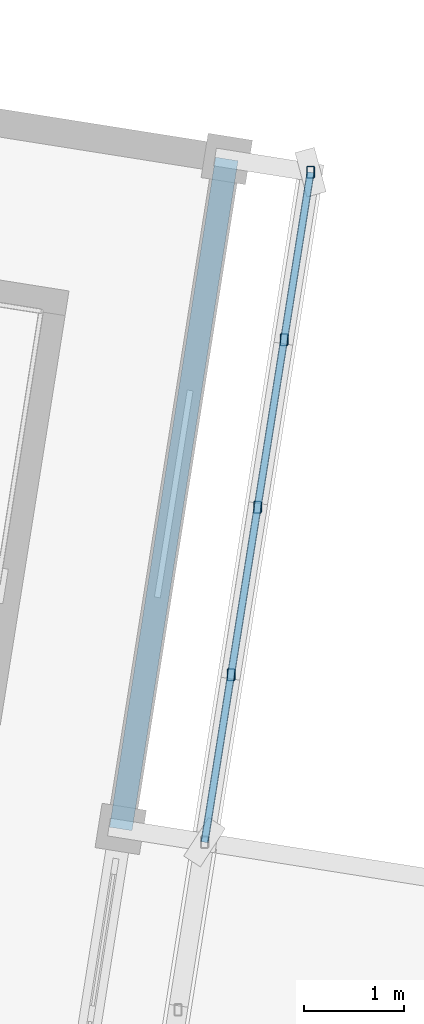
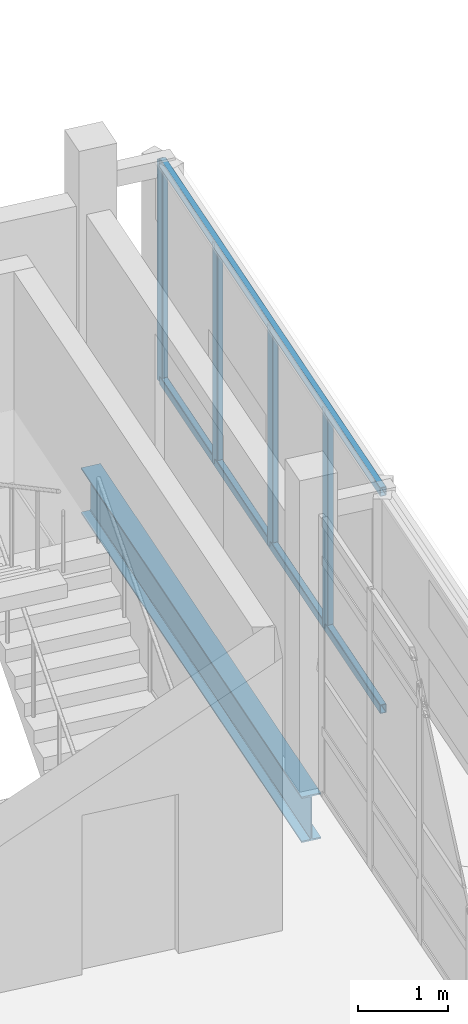
# One storey, part 85 of 137: 6 members, 1 beam.
"""IFC4 building model written with IfcOpenShell, lengths in metres."""

from ifc_helpers import new_model, si_unit, direction, frame, origin, origin_2d, place, context, subcontext, project, spatial, hollow_rectangle, i_section, extrude, material, material_profile, profile_set, type_object, element, save


model = new_model("IFC4")

# Units and contexts
model_context = context("Model", 3, precision=1e-05, world=origin(), true_north=direction((0.0, 1.0)))
body_context = subcontext(model_context, "Body", "Model", "MODEL_VIEW")
ifc_project = project(units=[si_unit("LENGTHUNIT", "METRE"), si_unit("AREAUNIT", "SQUARE_METRE"), si_unit("VOLUMEUNIT", "CUBIC_METRE"), si_unit("PLANEANGLEUNIT", "RADIAN"), si_unit("MASSUNIT", "GRAM", prefix="KILO")], contexts=[model_context])

# Site, building, storey
site_placement = place(None, origin())
site = spatial("IfcSite", under=ifc_project, at=site_placement, CompositionType="ELEMENT")
building_placement = place(site_placement, origin())
building = spatial("IfcBuilding", under=site, at=building_placement, Name="Cinderway Yard Community Centre", CompositionType="ELEMENT")
storey_placement = place(building_placement, frame((0.0, 0.0, 4.800048828125)))
storey = spatial("IfcBuildingStorey", under=building, at=storey_placement, Name="L01", CompositionType="ELEMENT", Elevation=4.800048828125)

# Members
ifc_material = material(Name="Steel S355", Category="steel")
ifc_material_profile_1 = material_profile(ifc_material, hollow_rectangle(XDim=0.080078125, YDim=0.1201171875, WallThickness=0.00634765625, InnerFilletRadius=0.00634765625, OuterFilletRadius=0.0126953125, at=origin_2d()), Name="Steel S355")
ifc_profile_set_1 = profile_set([ifc_material_profile_1], Name="Steel S355")
member_type = type_object("IfcMemberType", Name="ENV-MEM-SCREEN-RAIL-120", PredefinedType="STRINGER", material=ifc_profile_set_1)
for number, where, z_axis, x_axis, name in (
    (1, (152.72607421875, 60.0390625, 0.7099609375), (0.156335015047, 0.987704086794, 0.0), (-0.987704086794, 0.156335015047, 0.0), "Screen support rail 1033-BOT"),
    (2, (152.72607421875, 60.0390625, 3.639892578125), (0.156335015047, 0.987704086794, 0.0), (-0.987704086794, 0.156335015047, 0.0), "Screen support rail 1034-TOP"),
):
    element("IfcMember", number, at=place(storey_placement, frame(where, z_axis=z_axis, x_axis=x_axis)), inside=storey, type_object=member_type, Name=name, PredefinedType="STRINGER", context=body_context, shape_type="SweptSolid", body=[
        extrude(hollow_rectangle(XDim=0.080078125, YDim=0.1201171875, WallThickness=0.00634765625, InnerFilletRadius=0.00634765625, OuterFilletRadius=0.0126953125, at=origin_2d()), origin(), (0.0, 0.0, 1.0), 6.79931640625),
    ])
for number, where, z_axis, x_axis, name in (
    (3, (152.991943359375, 61.718017578125, 0.68994140625), (0.0, 0.0, 1.0), (1.0, 0.0, 0.0), "Screen vertical mullion 1035"),
    (4, (153.257080078125, 63.39697265625, 0.68994140625), (0.0, 0.0, 1.0), (1.0, 0.0, 0.0), "Screen vertical mullion 1036"),
    (5, (153.52294921875, 65.075927734375, 0.68994140625), (0.0, 0.0, 1.0), (1.0, 0.0, 0.0), "Screen vertical mullion 1037"),
    (6, (153.7890625, 66.7548828125, 0.68994140625), (0.0, 0.0, 1.0), (1.0, 0.0, 0.0), "Screen vertical mullion 1038"),
):
    element("IfcMember", number, at=place(storey_placement, frame(where, z_axis=z_axis, x_axis=x_axis)), inside=storey, type_object=member_type, Name=name, PredefinedType="STRINGER", context=body_context, shape_type="SweptSolid", body=[
        extrude(hollow_rectangle(XDim=0.080078125, YDim=0.1201171875, WallThickness=0.00634765625, InnerFilletRadius=0.00634765625, OuterFilletRadius=0.0126953125, at=origin_2d()), origin(), (0.0, 0.0, 1.0), 2.969970703125),
    ])

# Beam
ifc_material_profile_2 = material_profile(ifc_material, i_section(OverallWidth=0.22998046875, OverallDepth=0.616943359375, WebThickness=0.011962890625, FlangeThickness=0.01953125, FilletRadius=0.01611328125, at=origin_2d()), Name="Steel S355")
ifc_profile_set_2 = profile_set([ifc_material_profile_2], Name="Steel S355")
beam_type = type_object("IfcBeamType", Name="STR-BM-W610X140", PredefinedType="BEAM", material=ifc_profile_set_2)
beam_placement = place(storey_placement, frame((151.885986328125, 60.172119140625, -0.548095703125), z_axis=(0.156335015047, 0.987704086794, 0.0), x_axis=(-0.987704086794, 0.156335015047, 0.0)))
element("IfcBeam", 7, at=beam_placement, inside=storey, type_object=beam_type, Name="Transverse girder STR-BM-L01-SB05-0093", PredefinedType="BEAM", context=body_context, shape_type="SweptSolid", body=[
    extrude(i_section(OverallWidth=0.22998046875, OverallDepth=0.616943359375, WebThickness=0.011962890625, FlangeThickness=0.01953125, FilletRadius=0.01611328125, at=origin_2d()), origin(), (0.0, 0.0, 1.0), 6.79931640625),
])

save(model, "model.ifc")
